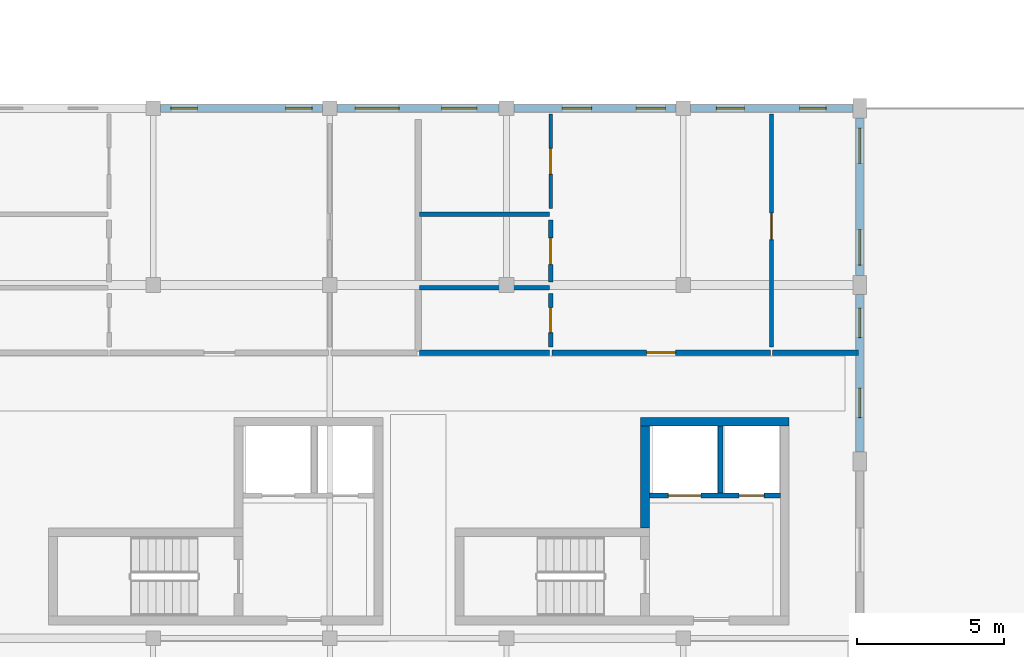
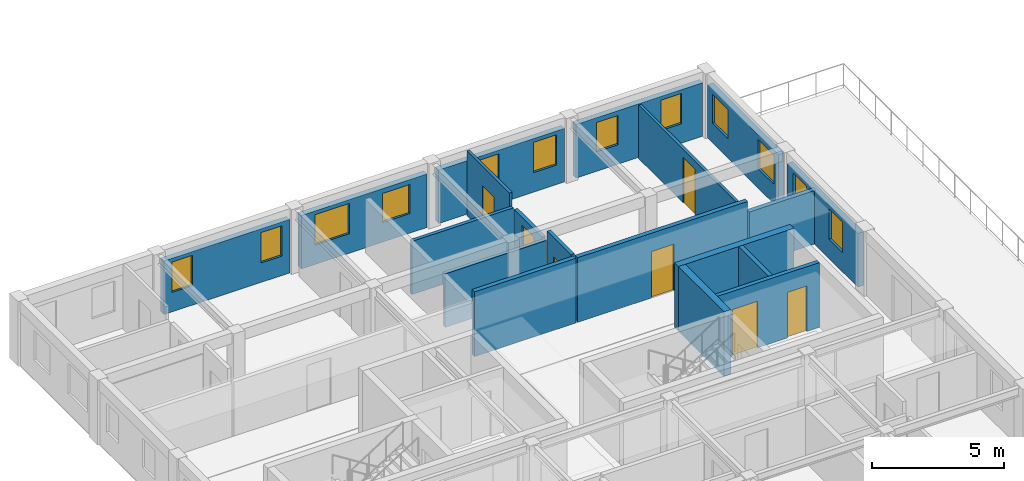
# One storey, part 6 of 13: 19 walls, 12 windows, 7 doors, 19 openings.
"""IFC4 building model written with IfcOpenShell, lengths in metres."""

from ifc_helpers import new_model, si_unit, direction, frame, frame_2d, origin, place, context, subcontext, project, spatial, rectangle, extrude, material, layer, layer_set, type_object, element, fill, save


model = new_model("IFC4")

# Units and contexts
model_context = context("Model", 3, precision=1e-05, world=origin(), true_north=direction((0.0, 1.0)))
body_context = subcontext(model_context, "Body", "Model", "MODEL_VIEW")
ifc_project = project(units=[si_unit("LENGTHUNIT", "METRE"), si_unit("AREAUNIT", "SQUARE_METRE"), si_unit("VOLUMEUNIT", "CUBIC_METRE"), si_unit("PLANEANGLEUNIT", "RADIAN"), si_unit("MASSUNIT", "GRAM", prefix="KILO"), si_unit("POWERUNIT", "WATT"), si_unit("THERMODYNAMICTEMPERATUREUNIT", "KELVIN")], contexts=[model_context])

# Site, building, storey
site_placement = place(None, origin())
site = spatial("IfcSite", under=ifc_project, at=site_placement, CompositionType="ELEMENT")
building_placement = place(site_placement, origin())
building = spatial("IfcBuilding", under=site, at=building_placement, Name="Ruvembo Vaulted Housing Court", CompositionType="ELEMENT")
storey_placement = place(building_placement, frame((0.0, 0.0, 33.300048828125)))
storey = spatial("IfcBuildingStorey", under=building, at=storey_placement, Name="L10", CompositionType="ELEMENT", Elevation=33.300048828125)

# Walls
ifc_material_1 = material(Name="Concrete C35/45", Category="concrete")
ifc_layer_1 = layer(ifc_material_1, 0.300048828125, Name="Concrete C35/45")
ifc_layer_set_1 = layer_set([ifc_layer_1], Name="Concrete C35/45")
wall_type_1 = type_object("IfcWallType", Name="WL-CORE-300", PredefinedType="SHEAR", material=ifc_layer_set_1)
wall_1_placement = place(storey_placement, frame((27.60009765625, 25.35009765625, 0.0), z_axis=(0.0, 0.0, 1.0), x_axis=(-1.0, 0.0, 0.0)))
element("IfcWall", 1, at=wall_1_placement, inside=storey, type_object=wall_type_1, Name="Core A2 L10 North Shear Wall", PredefinedType="SHEAR", context=body_context, shape_type="SweptSolid", body=[
    extrude(rectangle(XDim=5.050048828125, YDim=0.300048828125, at=frame_2d((2.52490234375, 0.0))), origin(), (0.0, 0.0, 1.0), 2.989990234375),
])
wall_2_placement = place(storey_placement, frame((22.699951171875, 21.75, 0.0), z_axis=(0.0, 0.0, 1.0), x_axis=(0.0, 1.0, 0.0)))
element("IfcWall", 2, at=wall_2_placement, inside=storey, type_object=wall_type_1, Name="Core A2 L10 Upper West Shear Wall", PredefinedType="SHEAR", context=body_context, shape_type="SweptSolid", body=[
    extrude(rectangle(XDim=3.449951171875, YDim=0.300048828125, at=frame_2d((1.72509765625, 0.0))), origin(), (0.0, 0.0, 1.0), 2.989990234375),
])
ifc_material_2 = material(Name="Concrete Blockwork 190", Category="masonry")
ifc_layer_2 = layer(ifc_material_2, 0.18994140625, Name="Concrete Blockwork 190")
ifc_layer_set_2 = layer_set([ifc_layer_2], Name="Concrete Blockwork 190")
wall_type_2 = type_object("IfcWallType", Name="WL-CORR-190", PredefinedType="SOLIDWALL", material=ifc_layer_set_2)
wall_3_placement = place(storey_placement, frame((15.0400390625, 27.699951171875, 0.0), z_axis=(0.0, 0.0, 1.0), x_axis=(1.0, 0.0, 0.0)))
element("IfcWall", 3, at=wall_3_placement, inside=storey, type_object=wall_type_2, Name="L10 Flat A-L10-N2 Corridor Wall WL-INT-L10-02234", PredefinedType="SOLIDWALL", context=body_context, shape_type="SweptSolid", body=[
    extrude(rectangle(XDim=4.419921875, YDim=0.18994140625, at=frame_2d((2.2099609375, 0.0))), origin(), (0.0, 0.0, 1.0), 2.989990234375),
])

# Wall, opening, door
wall_4_placement = place(storey_placement, frame((19.5400390625, 27.699951171875, 0.0), z_axis=(0.0, 0.0, 1.0), x_axis=(1.0, 0.0, 0.0)))
wall_4 = element("IfcWall", 4, at=wall_4_placement, inside=storey, type_object=wall_type_2, Name="L10 Flat A-L10-N2 Entrance WL-INT-L10-02235", PredefinedType="SOLIDWALL", context=body_context, shape_type="SweptSolid", body=[
    extrude(rectangle(XDim=7.419921875, YDim=0.18994140625, at=frame_2d((3.7099609375, 0.0))), origin(), (0.0, 0.0, 1.0), 2.989990234375),
])
opening_1_placement = place(wall_4_placement, frame((3.219970703125, 0.0, 0.0)))
opening_1 = element("IfcOpeningElement", 5, at=opening_1_placement, cuts=wall_4, Name="Opening FD2", PredefinedType="OPENING", context=body_context, shape_type="SweptSolid", body=[
    extrude(rectangle(XDim=0.97998046875, YDim=2.14990234375, at=frame_2d((0.489990234375, 1.074951171875))), frame((0.0, 0.10498046875, 0.0), z_axis=(0.0, -1.0, 0.0), x_axis=(1.0, 0.0, 0.0)), (0.0, 0.0, 1.0), 0.2099609375),
])
ifc_material_3 = material(Name="FSC Hardwood and Engineered Timber", Category="wood")
door_type_1 = type_object("IfcDoorType", Name="DR-FLAT-0980x2150", OperationType="NOTDEFINED", PredefinedType="DOOR", material=ifc_material_3)
door_1_placement = place(opening_1_placement, origin())
door_1 = element("IfcDoor", 6, at=door_1_placement, inside=storey, type_object=door_type_1, Name="L10 Flat A-L10-N2 Entrance Door DR-INT-L10-01240", OperationType="SINGLE_SWING_RIGHT", OverallHeight=2.14990234375, OverallWidth=0.97998046875, PredefinedType="DOOR", context=body_context, shape_type="SweptSolid", body=[
    extrude(rectangle(XDim=0.97998046875, YDim=2.14990234375, at=frame_2d((0.489990234375, 1.074951171875))), frame((0.0, 0.02490234375, 0.0), z_axis=(0.0, -1.0, 0.0), x_axis=(1.0, 0.0, 0.0)), (0.0, 0.0, 1.0), 0.050048828125),
])
fill(opening_1, door_1)

# Wall
wall_5_placement = place(storey_placement, frame((27.0400390625, 27.699951171875, 0.0), z_axis=(0.0, 0.0, 1.0), x_axis=(1.0, 0.0, 0.0)))
element("IfcWall", 7, at=wall_5_placement, inside=storey, type_object=wall_type_2, Name="L10 Flat A-L10-N2 Corridor Wall 2 WL-INT-L10-02241", PredefinedType="SOLIDWALL", context=body_context, shape_type="SweptSolid", body=[
    extrude(rectangle(XDim=2.919921875, YDim=0.18994140625, at=frame_2d((1.4599609375, 0.0))), origin(), (0.0, 0.0, 1.0), 2.471923828125),
])

# Wall, openings, windows
ifc_material_4 = material(Name="Rendered Masonry 245", Category="masonry")
ifc_layer_3 = layer(ifc_material_4, 0.2451171875, Name="Rendered Masonry 245")
ifc_layer_set_3 = layer_set([ifc_layer_3], Name="Rendered Masonry 245")
wall_type_3 = type_object("IfcWallType", Name="WL-EXT-245", PredefinedType="STANDARD", material=ifc_layer_set_3)
wall_6_placement = place(storey_placement, frame((30.0, 24.324951171875, 0.0), z_axis=(0.0, 0.0, 1.0), x_axis=(0.0, 1.0, 0.0)))
wall_6 = element("IfcWall", 8, at=wall_6_placement, inside=storey, type_object=wall_type_3, Name="Block A L10 Exterior Wall EAST #4", PredefinedType="STANDARD", context=body_context, shape_type="SweptSolid", body=[
    extrude(rectangle(XDim=5.35009765625, YDim=0.2451171875, at=frame_2d((2.675048828125, 0.0))), origin(), (0.0, 0.0, 1.0), 2.471923828125),
])
opening_2_placement = place(wall_6_placement, frame((1.16748046875, 0.0, 0.89990234375)))
opening_2 = element("IfcOpeningElement", 9, at=opening_2_placement, cuts=wall_6, Name="Opening W08", PredefinedType="OPENING", context=body_context, shape_type="SweptSolid", body=[
    extrude(rectangle(XDim=1.0, YDim=1.39990234375, at=frame_2d((0.5, 0.699951171875))), frame((0.0, 0.132568359375, 0.0), z_axis=(0.0, -1.0, 0.0), x_axis=(1.0, 0.0, 0.0)), (0.0, 0.0, 1.0), 0.26513671875),
])
opening_3_placement = place(wall_6_placement, frame((3.882568359375, 0.0, 0.89990234375)))
opening_3 = element("IfcOpeningElement", 10, at=opening_3_placement, cuts=wall_6, Name="Opening W08", PredefinedType="OPENING", context=body_context, shape_type="SweptSolid", body=[
    extrude(rectangle(XDim=1.0, YDim=1.39990234375, at=frame_2d((0.5, 0.699951171875))), frame((0.0, 0.132568359375, 0.0), z_axis=(0.0, -1.0, 0.0), x_axis=(1.0, 0.0, 0.0)), (0.0, 0.0, 1.0), 0.26513671875),
])
ifc_material_5 = material(Name="Double Solar-Control Glazing in Aluminium Frame", Category="aluminium")
window_type_1 = type_object("IfcWindowType", Name="WIN-1000x1400", PartitioningType="SINGLE_PANEL", PredefinedType="WINDOW", material=ifc_material_5)
window_1_placement = place(opening_2_placement, origin())
window_1 = element("IfcWindow", 11, at=window_1_placement, inside=storey, type_object=window_type_1, Name="Block A L10 Window #446", OverallHeight=1.39990234375, OverallWidth=1.0, PartitioningType="SINGLE_PANEL", PredefinedType="WINDOW", context=body_context, shape_type="SweptSolid", body=[
    extrude(rectangle(XDim=1.0, YDim=1.39990234375, at=frame_2d((0.5, 0.699951171875))), frame((0.0, 0.030029296875, 0.0), z_axis=(0.0, -1.0, 0.0), x_axis=(1.0, 0.0, 0.0)), (0.0, 0.0, 1.0), 0.06005859375),
])
fill(opening_2, window_1)
window_2_placement = place(opening_3_placement, origin())
window_2 = element("IfcWindow", 12, at=window_2_placement, inside=storey, type_object=window_type_1, Name="Block A L10 Window #447", OverallHeight=1.39990234375, OverallWidth=1.0, PartitioningType="SINGLE_PANEL", PredefinedType="WINDOW", context=body_context, shape_type="SweptSolid", body=[
    extrude(rectangle(XDim=1.0, YDim=1.39990234375, at=frame_2d((0.5, 0.699951171875))), frame((0.0, 0.030029296875, 0.0), z_axis=(0.0, -1.0, 0.0), x_axis=(1.0, 0.0, 0.0)), (0.0, 0.0, 1.0), 0.06005859375),
])
fill(opening_3, window_2)

wall_7_placement = place(storey_placement, frame((30.0, 30.324951171875, 0.0), z_axis=(0.0, 0.0, 1.0), x_axis=(0.0, 1.0, 0.0)))
wall_7 = element("IfcWall", 13, at=wall_7_placement, inside=storey, type_object=wall_type_3, Name="Block A L10 Exterior Wall EAST #5", PredefinedType="STANDARD", context=body_context, shape_type="SweptSolid", body=[
    extrude(rectangle(XDim=5.35009765625, YDim=0.2451171875, at=frame_2d((2.675048828125, 0.0))), origin(), (0.0, 0.0, 1.0), 2.471923828125),
])
opening_4_placement = place(wall_7_placement, frame((0.35009765625, 0.0, 0.89990234375)))
opening_4 = element("IfcOpeningElement", 14, at=opening_4_placement, cuts=wall_7, Name="Opening W12", PredefinedType="OPENING", context=body_context, shape_type="SweptSolid", body=[
    extrude(rectangle(XDim=1.199951171875, YDim=1.35009765625, at=frame_2d((0.60009765625, 0.675048828125))), frame((0.0, 0.132568359375, 0.0), z_axis=(0.0, -1.0, 0.0), x_axis=(1.0, 0.0, 0.0)), (0.0, 0.0, 1.0), 0.26513671875),
])
opening_5_placement = place(wall_7_placement, frame((3.800048828125, 0.0, 0.89990234375)))
opening_5 = element("IfcOpeningElement", 15, at=opening_5_placement, cuts=wall_7, Name="Opening W12", PredefinedType="OPENING", context=body_context, shape_type="SweptSolid", body=[
    extrude(rectangle(XDim=1.199951171875, YDim=1.35009765625, at=frame_2d((0.60009765625, 0.675048828125))), frame((0.0, 0.132568359375, 0.0), z_axis=(0.0, -1.0, 0.0), x_axis=(1.0, 0.0, 0.0)), (0.0, 0.0, 1.0), 0.26513671875),
])
window_type_2 = type_object("IfcWindowType", Name="WIN-1200x1350", PartitioningType="SINGLE_PANEL", PredefinedType="WINDOW", material=ifc_material_5)
window_3_placement = place(opening_4_placement, origin())
window_3 = element("IfcWindow", 16, at=window_3_placement, inside=storey, type_object=window_type_2, Name="Block A L10 Window #448", OverallHeight=1.35009765625, OverallWidth=1.199951171875, PartitioningType="SINGLE_PANEL", PredefinedType="WINDOW", context=body_context, shape_type="SweptSolid", body=[
    extrude(rectangle(XDim=1.199951171875, YDim=1.35009765625, at=frame_2d((0.60009765625, 0.675048828125))), frame((0.0, 0.030029296875, 0.0), z_axis=(0.0, -1.0, 0.0), x_axis=(1.0, 0.0, 0.0)), (0.0, 0.0, 1.0), 0.06005859375),
])
fill(opening_4, window_3)
window_4_placement = place(opening_5_placement, origin())
window_4 = element("IfcWindow", 17, at=window_4_placement, inside=storey, type_object=window_type_2, Name="Block A L10 Window #449", OverallHeight=1.35009765625, OverallWidth=1.199951171875, PartitioningType="SINGLE_PANEL", PredefinedType="WINDOW", context=body_context, shape_type="SweptSolid", body=[
    extrude(rectangle(XDim=1.199951171875, YDim=1.35009765625, at=frame_2d((0.60009765625, 0.675048828125))), frame((0.0, 0.030029296875, 0.0), z_axis=(0.0, -1.0, 0.0), x_axis=(1.0, 0.0, 0.0)), (0.0, 0.0, 1.0), 0.06005859375),
])
fill(opening_5, window_4)

wall_8_placement = place(storey_placement, frame((29.77490234375, 36.0, 0.0), z_axis=(0.0, 0.0, 1.0), x_axis=(-1.0, 0.0, 0.0)))
wall_8 = element("IfcWall", 18, at=wall_8_placement, inside=storey, type_object=wall_type_3, Name="Block A L10 Exterior Wall COURTYARD #1", PredefinedType="STANDARD", context=body_context, shape_type="SweptSolid", body=[
    extrude(rectangle(XDim=5.52490234375, YDim=0.2451171875, at=frame_2d((2.762451171875, 0.0))), origin(), (0.0, 0.0, 1.0), 2.471923828125),
])
opening_6_placement = place(wall_8_placement, frame((0.91748046875, 0.0, 0.89990234375)))
opening_6 = element("IfcOpeningElement", 19, at=opening_6_placement, cuts=wall_8, Name="Opening W05", PredefinedType="OPENING", context=body_context, shape_type="SweptSolid", body=[
    extrude(rectangle(XDim=0.89990234375, YDim=1.39990234375, at=frame_2d((0.449951171875, 0.699951171875))), frame((0.0, 0.132568359375, 0.0), z_axis=(0.0, -1.0, 0.0), x_axis=(1.0, 0.0, 0.0)), (0.0, 0.0, 1.0), 0.26513671875),
])
opening_7_placement = place(wall_8_placement, frame((3.695068359375, 0.0, 0.89990234375)))
opening_7 = element("IfcOpeningElement", 20, at=opening_7_placement, cuts=wall_8, Name="Opening W07", PredefinedType="OPENING", context=body_context, shape_type="SweptSolid", body=[
    extrude(rectangle(XDim=0.949951171875, YDim=1.35009765625, at=frame_2d((0.47509765625, 0.675048828125))), frame((0.0, 0.132568359375, 0.0), z_axis=(0.0, -1.0, 0.0), x_axis=(1.0, 0.0, 0.0)), (0.0, 0.0, 1.0), 0.26513671875),
])
window_type_3 = type_object("IfcWindowType", Name="WIN-0900x1400", PartitioningType="SINGLE_PANEL", PredefinedType="WINDOW", material=ifc_material_5)
window_5_placement = place(opening_6_placement, origin())
window_5 = element("IfcWindow", 21, at=window_5_placement, inside=storey, type_object=window_type_3, Name="Block A L10 Window #450", OverallHeight=1.39990234375, OverallWidth=0.89990234375, PartitioningType="SINGLE_PANEL", PredefinedType="WINDOW", context=body_context, shape_type="SweptSolid", body=[
    extrude(rectangle(XDim=0.89990234375, YDim=1.39990234375, at=frame_2d((0.449951171875, 0.699951171875))), frame((0.0, 0.030029296875, 0.0), z_axis=(0.0, -1.0, 0.0), x_axis=(1.0, 0.0, 0.0)), (0.0, 0.0, 1.0), 0.06005859375),
])
fill(opening_6, window_5)
window_type_4 = type_object("IfcWindowType", Name="WIN-0950x1350", PartitioningType="SINGLE_PANEL", PredefinedType="WINDOW", material=ifc_material_5)
window_6_placement = place(opening_7_placement, origin())
window_6 = element("IfcWindow", 22, at=window_6_placement, inside=storey, type_object=window_type_4, Name="Block A L10 Window #451", OverallHeight=1.35009765625, OverallWidth=0.949951171875, PartitioningType="SINGLE_PANEL", PredefinedType="WINDOW", context=body_context, shape_type="SweptSolid", body=[
    extrude(rectangle(XDim=0.949951171875, YDim=1.35009765625, at=frame_2d((0.47509765625, 0.675048828125))), frame((0.0, 0.030029296875, 0.0), z_axis=(0.0, -1.0, 0.0), x_axis=(1.0, 0.0, 0.0)), (0.0, 0.0, 1.0), 0.06005859375),
])
fill(opening_7, window_6)

wall_9_placement = place(storey_placement, frame((23.75, 36.0, 0.0), z_axis=(0.0, 0.0, 1.0), x_axis=(-1.0, 0.0, 0.0)))
wall_9 = element("IfcWall", 23, at=wall_9_placement, inside=storey, type_object=wall_type_3, Name="Block A L10 Exterior Wall COURTYARD #2", PredefinedType="STANDARD", context=body_context, shape_type="SweptSolid", body=[
    extrude(rectangle(XDim=5.5, YDim=0.2451171875, at=frame_2d((2.75, 0.0))), origin(), (0.0, 0.0, 1.0), 2.471923828125),
])
opening_8_placement = place(wall_9_placement, frame((0.35009765625, 0.0, 0.89990234375)))
opening_8 = element("IfcOpeningElement", 24, at=opening_8_placement, cuts=wall_9, Name="Opening W08", PredefinedType="OPENING", context=body_context, shape_type="SweptSolid", body=[
    extrude(rectangle(XDim=1.0, YDim=1.39990234375, at=frame_2d((0.5, 0.699951171875))), frame((0.0, 0.132568359375, 0.0), z_axis=(0.0, -1.0, 0.0), x_axis=(1.0, 0.0, 0.0)), (0.0, 0.0, 1.0), 0.26513671875),
])
opening_9_placement = place(wall_9_placement, frame((2.860107421875, 0.0, 0.89990234375)))
opening_9 = element("IfcOpeningElement", 25, at=opening_9_placement, cuts=wall_9, Name="Opening W08", PredefinedType="OPENING", context=body_context, shape_type="SweptSolid", body=[
    extrude(rectangle(XDim=1.0, YDim=1.39990234375, at=frame_2d((0.5, 0.699951171875))), frame((0.0, 0.132568359375, 0.0), z_axis=(0.0, -1.0, 0.0), x_axis=(1.0, 0.0, 0.0)), (0.0, 0.0, 1.0), 0.26513671875),
])
window_7_placement = place(opening_8_placement, origin())
window_7 = element("IfcWindow", 26, at=window_7_placement, inside=storey, type_object=window_type_1, Name="Block A L10 Window #452", OverallHeight=1.39990234375, OverallWidth=1.0, PartitioningType="SINGLE_PANEL", PredefinedType="WINDOW", context=body_context, shape_type="SweptSolid", body=[
    extrude(rectangle(XDim=1.0, YDim=1.39990234375, at=frame_2d((0.5, 0.699951171875))), frame((0.0, 0.030029296875, 0.0), z_axis=(0.0, -1.0, 0.0), x_axis=(1.0, 0.0, 0.0)), (0.0, 0.0, 1.0), 0.06005859375),
])
fill(opening_8, window_7)
window_8_placement = place(opening_9_placement, origin())
window_8 = element("IfcWindow", 27, at=window_8_placement, inside=storey, type_object=window_type_1, Name="Block A L10 Window #453", OverallHeight=1.39990234375, OverallWidth=1.0, PartitioningType="SINGLE_PANEL", PredefinedType="WINDOW", context=body_context, shape_type="SweptSolid", body=[
    extrude(rectangle(XDim=1.0, YDim=1.39990234375, at=frame_2d((0.5, 0.699951171875))), frame((0.0, 0.030029296875, 0.0), z_axis=(0.0, -1.0, 0.0), x_axis=(1.0, 0.0, 0.0)), (0.0, 0.0, 1.0), 0.06005859375),
])
fill(opening_9, window_8)

wall_10_placement = place(storey_placement, frame((17.75, 36.0, 0.0), z_axis=(0.0, 0.0, 1.0), x_axis=(-1.0, 0.0, 0.0)))
wall_10 = element("IfcWall", 28, at=wall_10_placement, inside=storey, type_object=wall_type_3, Name="Block A L10 Exterior Wall COURTYARD #3", PredefinedType="STANDARD", context=body_context, shape_type="SweptSolid", body=[
    extrude(rectangle(XDim=5.5, YDim=0.2451171875, at=frame_2d((2.75, 0.0))), origin(), (0.0, 0.0, 1.0), 2.471923828125),
])
opening_10_placement = place(wall_10_placement, frame((0.7548828125, 0.0, 0.89990234375)))
opening_10 = element("IfcOpeningElement", 29, at=opening_10_placement, cuts=wall_10, Name="Opening W12", PredefinedType="OPENING", context=body_context, shape_type="SweptSolid", body=[
    extrude(rectangle(XDim=1.199951171875, YDim=1.35009765625, at=frame_2d((0.60009765625, 0.675048828125))), frame((0.0, 0.132568359375, 0.0), z_axis=(0.0, -1.0, 0.0), x_axis=(1.0, 0.0, 0.0)), (0.0, 0.0, 1.0), 0.26513671875),
])
opening_11_placement = place(wall_10_placement, frame((3.39501953125, 0.0, 0.89990234375)))
opening_11 = element("IfcOpeningElement", 30, at=opening_11_placement, cuts=wall_10, Name="Opening W18", PredefinedType="OPENING", context=body_context, shape_type="SweptSolid", body=[
    extrude(rectangle(XDim=1.5, YDim=1.39990234375, at=frame_2d((0.75, 0.699951171875))), frame((0.0, 0.132568359375, 0.0), z_axis=(0.0, -1.0, 0.0), x_axis=(1.0, 0.0, 0.0)), (0.0, 0.0, 1.0), 0.26513671875),
])
window_9_placement = place(opening_10_placement, origin())
window_9 = element("IfcWindow", 31, at=window_9_placement, inside=storey, type_object=window_type_2, Name="Block A L10 Window #454", OverallHeight=1.35009765625, OverallWidth=1.199951171875, PartitioningType="SINGLE_PANEL", PredefinedType="WINDOW", context=body_context, shape_type="SweptSolid", body=[
    extrude(rectangle(XDim=1.199951171875, YDim=1.35009765625, at=frame_2d((0.60009765625, 0.675048828125))), frame((0.0, 0.030029296875, 0.0), z_axis=(0.0, -1.0, 0.0), x_axis=(1.0, 0.0, 0.0)), (0.0, 0.0, 1.0), 0.06005859375),
])
fill(opening_10, window_9)
window_type_5 = type_object("IfcWindowType", Name="WIN-1500x1400", PartitioningType="SINGLE_PANEL", PredefinedType="WINDOW", material=ifc_material_5)
window_10_placement = place(opening_11_placement, origin())
window_10 = element("IfcWindow", 32, at=window_10_placement, inside=storey, type_object=window_type_5, Name="Block A L10 Window #455", OverallHeight=1.39990234375, OverallWidth=1.5, PartitioningType="SINGLE_PANEL", PredefinedType="WINDOW", context=body_context, shape_type="SweptSolid", body=[
    extrude(rectangle(XDim=1.5, YDim=1.39990234375, at=frame_2d((0.75, 0.699951171875))), frame((0.0, 0.030029296875, 0.0), z_axis=(0.0, -1.0, 0.0), x_axis=(1.0, 0.0, 0.0)), (0.0, 0.0, 1.0), 0.06005859375),
])
fill(opening_11, window_10)

wall_11_placement = place(storey_placement, frame((11.75, 36.0, 0.0), z_axis=(0.0, 0.0, 1.0), x_axis=(-1.0, 0.0, 0.0)))
wall_11 = element("IfcWall", 33, at=wall_11_placement, inside=storey, type_object=wall_type_3, Name="Block A L10 Exterior Wall COURTYARD #4", PredefinedType="STANDARD", context=body_context, shape_type="SweptSolid", body=[
    extrude(rectangle(XDim=5.5, YDim=0.2451171875, at=frame_2d((2.75, 0.0))), origin(), (0.0, 0.0, 1.0), 2.471923828125),
])
opening_12_placement = place(wall_11_placement, frame((0.35009765625, 0.0, 0.89990234375)))
opening_12 = element("IfcOpeningElement", 34, at=opening_12_placement, cuts=wall_11, Name="Opening W05", PredefinedType="OPENING", context=body_context, shape_type="SweptSolid", body=[
    extrude(rectangle(XDim=0.89990234375, YDim=1.39990234375, at=frame_2d((0.449951171875, 0.699951171875))), frame((0.0, 0.132568359375, 0.0), z_axis=(0.0, -1.0, 0.0), x_axis=(1.0, 0.0, 0.0)), (0.0, 0.0, 1.0), 0.26513671875),
])
opening_13_placement = place(wall_11_placement, frame((4.25, 0.0, 0.89990234375)))
opening_13 = element("IfcOpeningElement", 35, at=opening_13_placement, cuts=wall_11, Name="Opening W05", PredefinedType="OPENING", context=body_context, shape_type="SweptSolid", body=[
    extrude(rectangle(XDim=0.89990234375, YDim=1.39990234375, at=frame_2d((0.449951171875, 0.699951171875))), frame((0.0, 0.132568359375, 0.0), z_axis=(0.0, -1.0, 0.0), x_axis=(1.0, 0.0, 0.0)), (0.0, 0.0, 1.0), 0.26513671875),
])
window_11_placement = place(opening_12_placement, origin())
window_11 = element("IfcWindow", 36, at=window_11_placement, inside=storey, type_object=window_type_3, Name="Block A L10 Window #456", OverallHeight=1.39990234375, OverallWidth=0.89990234375, PartitioningType="SINGLE_PANEL", PredefinedType="WINDOW", context=body_context, shape_type="SweptSolid", body=[
    extrude(rectangle(XDim=0.89990234375, YDim=1.39990234375, at=frame_2d((0.449951171875, 0.699951171875))), frame((0.0, 0.030029296875, 0.0), z_axis=(0.0, -1.0, 0.0), x_axis=(1.0, 0.0, 0.0)), (0.0, 0.0, 1.0), 0.06005859375),
])
fill(opening_12, window_11)
window_12_placement = place(opening_13_placement, origin())
window_12 = element("IfcWindow", 37, at=window_12_placement, inside=storey, type_object=window_type_3, Name="Block A L10 Window #457", OverallHeight=1.39990234375, OverallWidth=0.89990234375, PartitioningType="SINGLE_PANEL", PredefinedType="WINDOW", context=body_context, shape_type="SweptSolid", body=[
    extrude(rectangle(XDim=0.89990234375, YDim=1.39990234375, at=frame_2d((0.449951171875, 0.699951171875))), frame((0.0, 0.030029296875, 0.0), z_axis=(0.0, -1.0, 0.0), x_axis=(1.0, 0.0, 0.0)), (0.0, 0.0, 1.0), 0.06005859375),
])
fill(opening_13, window_12)

# Wall, opening, door
ifc_material_6 = material(Name="Plasterboard Stud Partition 125", Category="gypsum")
ifc_layer_4 = layer(ifc_material_6, 0.125, Name="Plasterboard Stud Partition 125")
ifc_layer_set_4 = layer_set([ifc_layer_4], Name="Plasterboard Stud Partition 125")
wall_type_4 = type_object("IfcWallType", Name="WL-PART-125", PredefinedType="PARTITIONING", material=ifc_layer_set_4)
wall_12_placement = place(storey_placement, frame((19.5, 32.590087890625, 0.0), z_axis=(0.0, 0.0, 1.0), x_axis=(0.0, 1.0, 0.0)))
wall_12 = element("IfcWall", 38, at=wall_12_placement, inside=storey, type_object=wall_type_4, Name="L10 Flat A-L10-N2 Bedroom 1 WL-INT-L10-02236", PredefinedType="PARTITIONING", context=body_context, shape_type="SweptSolid", body=[
    extrude(rectangle(XDim=3.219970703125, YDim=0.125, at=frame_2d((1.60986328125, 0.0))), origin(), (0.0, 0.0, 1.0), 2.989990234375),
])
opening_14_placement = place(wall_12_placement, frame((1.169921875, 0.0, 0.0)))
opening_14 = element("IfcOpeningElement", 39, at=opening_14_placement, cuts=wall_12, Name="Opening ID3", PredefinedType="OPENING", context=body_context, shape_type="SweptSolid", body=[
    extrude(rectangle(XDim=0.8798828125, YDim=2.10009765625, at=frame_2d((0.43994140625, 1.050048828125))), frame((0.0, 0.072509765625, 0.0), z_axis=(0.0, -1.0, 0.0), x_axis=(1.0, 0.0, 0.0)), (0.0, 0.0, 1.0), 0.14501953125),
])
door_type_2 = type_object("IfcDoorType", Name="DR-ROOM-0880x2100", OperationType="NOTDEFINED", PredefinedType="DOOR", material=ifc_material_3)
door_2_placement = place(opening_14_placement, origin())
door_2 = element("IfcDoor", 40, at=door_2_placement, inside=storey, type_object=door_type_2, Name="L10 Flat A-L10-N2 Bedroom 1 Door DR-INT-L10-01241", OperationType="SINGLE_SWING_LEFT", OverallHeight=2.10009765625, OverallWidth=0.8798828125, PredefinedType="DOOR", context=body_context, shape_type="SweptSolid", body=[
    extrude(rectangle(XDim=0.8798828125, YDim=2.10009765625, at=frame_2d((0.43994140625, 1.050048828125))), frame((0.0, 0.02490234375, 0.0), z_axis=(0.0, -1.0, 0.0), x_axis=(1.0, 0.0, 0.0)), (0.0, 0.0, 1.0), 0.050048828125),
])
fill(opening_14, door_2)

wall_13_placement = place(storey_placement, frame((27.0, 27.889892578125, 0.0), z_axis=(0.0, 0.0, 1.0), x_axis=(0.0, 1.0, 0.0)))
wall_13 = element("IfcWall", 41, at=wall_13_placement, inside=storey, type_object=wall_type_4, Name="L10 Flat A-L10-N2 Bedroom 2 WL-INT-L10-02242", PredefinedType="PARTITIONING", context=body_context, shape_type="SweptSolid", body=[
    extrude(rectangle(XDim=7.920166015625, YDim=0.125, at=frame_2d((3.9599609375, 0.0))), origin(), (0.0, 0.0, 1.0), 2.471923828125),
])
opening_15_placement = place(wall_13_placement, frame((3.64990234375, 0.0, 0.0)))
opening_15 = element("IfcOpeningElement", 42, at=opening_15_placement, cuts=wall_13, Name="Opening ID1", PredefinedType="OPENING", context=body_context, shape_type="SweptSolid", body=[
    extrude(rectangle(XDim=0.89990234375, YDim=2.10009765625, at=frame_2d((0.449951171875, 1.050048828125))), frame((0.0, 0.072509765625, 0.0), z_axis=(0.0, -1.0, 0.0), x_axis=(1.0, 0.0, 0.0)), (0.0, 0.0, 1.0), 0.14501953125),
])
door_type_3 = type_object("IfcDoorType", Name="DR-ROOM-0900x2100", OperationType="NOTDEFINED", PredefinedType="DOOR", material=ifc_material_3)
door_3_placement = place(opening_15_placement, origin())
door_3 = element("IfcDoor", 43, at=door_3_placement, inside=storey, type_object=door_type_3, Name="L10 Flat A-L10-N2 Bedroom 2 Door DR-INT-L10-01244", OperationType="SINGLE_SWING_RIGHT", OverallHeight=2.10009765625, OverallWidth=0.89990234375, PredefinedType="DOOR", context=body_context, shape_type="SweptSolid", body=[
    extrude(rectangle(XDim=0.89990234375, YDim=2.10009765625, at=frame_2d((0.449951171875, 1.050048828125))), frame((0.0, 0.02490234375, 0.0), z_axis=(0.0, -1.0, 0.0), x_axis=(1.0, 0.0, 0.0)), (0.0, 0.0, 1.0), 0.050048828125),
])
fill(opening_15, door_3)

ifc_material_7 = material(Name="Moisture-Resistant Wet Partition 150", Category="gypsum")
ifc_layer_5 = layer(ifc_material_7, 0.14990234375, Name="Moisture-Resistant Wet Partition 150")
ifc_layer_set_5 = layer_set([ifc_layer_5], Name="Moisture-Resistant Wet Partition 150")
wall_type_5 = type_object("IfcWallType", Name="WL-PART-150", PredefinedType="PARTITIONING", material=ifc_layer_set_5)
wall_14_placement = place(storey_placement, frame((19.5, 27.889892578125, 0.0), z_axis=(0.0, 0.0, 1.0), x_axis=(0.0, 1.0, 0.0)))
wall_14 = element("IfcWall", 44, at=wall_14_placement, inside=storey, type_object=wall_type_5, Name="L10 Flat A-L10-N2 Bathroom WL-INT-L10-02238", PredefinedType="PARTITIONING", context=body_context, shape_type="SweptSolid", body=[
    extrude(rectangle(XDim=1.820068359375, YDim=0.14990234375, at=frame_2d((0.91015625, 0.0))), origin(), (0.0, 0.0, 1.0), 2.989990234375),
])
opening_16_placement = place(wall_14_placement, frame((0.485107421875, 0.0, 0.0)))
opening_16 = element("IfcOpeningElement", 45, at=opening_16_placement, cuts=wall_14, Name="Opening ID2", PredefinedType="OPENING", context=body_context, shape_type="SweptSolid", body=[
    extrude(rectangle(XDim=0.85009765625, YDim=2.10009765625, at=frame_2d((0.425048828125, 1.050048828125))), frame((0.0, 0.0849609375, 0.0), z_axis=(0.0, -1.0, 0.0), x_axis=(1.0, 0.0, 0.0)), (0.0, 0.0, 1.0), 0.169921875),
])
door_type_4 = type_object("IfcDoorType", Name="DR-WET-0850x2100", OperationType="NOTDEFINED", PredefinedType="DOOR", material=ifc_material_3)
door_4_placement = place(opening_16_placement, origin())
door_4 = element("IfcDoor", 46, at=door_4_placement, inside=storey, type_object=door_type_4, Name="L10 Flat A-L10-N2 Bathroom Door DR-INT-L10-01243", OperationType="SINGLE_SWING_LEFT", OverallHeight=2.10009765625, OverallWidth=0.85009765625, PredefinedType="DOOR", context=body_context, shape_type="SweptSolid", body=[
    extrude(rectangle(XDim=0.85009765625, YDim=2.10009765625, at=frame_2d((0.425048828125, 1.050048828125))), frame((0.0, 0.02490234375, 0.0), z_axis=(0.0, -1.0, 0.0), x_axis=(1.0, 0.0, 0.0)), (0.0, 0.0, 1.0), 0.050048828125),
])
fill(opening_16, door_4)

# Walls
wall_15_placement = place(storey_placement, frame((15.0400390625, 32.39990234375, 0.0), z_axis=(0.0, 0.0, 1.0), x_axis=(1.0, 0.0, 0.0)))
element("IfcWall", 47, at=wall_15_placement, inside=storey, type_object=wall_type_5, Name="L10 Flat A-L10-N2 Wet Wall 1 WL-INT-L10-02239", PredefinedType="PARTITIONING", context=body_context, shape_type="SweptSolid", body=[
    extrude(rectangle(XDim=4.419921875, YDim=0.14990234375, at=frame_2d((2.2099609375, 0.0))), origin(), (0.0, 0.0, 1.0), 2.4580078125),
])
wall_16_placement = place(storey_placement, frame((15.0400390625, 29.89990234375, 0.0), z_axis=(0.0, 0.0, 1.0), x_axis=(1.0, 0.0, 0.0)))
element("IfcWall", 48, at=wall_16_placement, inside=storey, type_object=wall_type_5, Name="L10 Flat A-L10-N2 Wet Wall 2 WL-INT-L10-02240", PredefinedType="PARTITIONING", context=body_context, shape_type="SweptSolid", body=[
    extrude(rectangle(XDim=4.419921875, YDim=0.14990234375, at=frame_2d((2.2099609375, 0.0))), origin(), (0.0, 0.0, 1.0), 2.471923828125),
])

# Wall, opening, door
ifc_material_8 = material(Name="Acoustic Service Chase Wall 160", Category="gypsum")
ifc_layer_6 = layer(ifc_material_8, 0.159912109375, Name="Acoustic Service Chase Wall 160")
ifc_layer_set_6 = layer_set([ifc_layer_6], Name="Acoustic Service Chase Wall 160")
wall_type_6 = type_object("IfcWallType", Name="WL-PLUMB-160", PredefinedType="PLUMBINGWALL", material=ifc_layer_set_6)
wall_17_placement = place(storey_placement, frame((19.5, 30.090087890625, 0.0), z_axis=(0.0, 0.0, 1.0), x_axis=(0.0, 1.0, 0.0)))
wall_17 = element("IfcWall", 49, at=wall_17_placement, inside=storey, type_object=wall_type_6, Name="L10 Flat A-L10-N2 Kitchen WL-INT-L10-02237", PredefinedType="PLUMBINGWALL", context=body_context, shape_type="SweptSolid", body=[
    extrude(rectangle(XDim=2.119873046875, YDim=0.159912109375, at=frame_2d((1.06005859375, 0.0))), origin(), (0.0, 0.0, 1.0), 2.471923828125),
])
opening_17_placement = place(wall_17_placement, frame((0.610107421875, 0.0, 0.0)))
opening_17 = element("IfcOpeningElement", 50, at=opening_17_placement, cuts=wall_17, Name="Opening ID1", PredefinedType="OPENING", context=body_context, shape_type="SweptSolid", body=[
    extrude(rectangle(XDim=0.89990234375, YDim=2.10009765625, at=frame_2d((0.449951171875, 1.050048828125))), frame((0.0, 0.08984375, 0.0), z_axis=(0.0, -1.0, 0.0), x_axis=(1.0, 0.0, 0.0)), (0.0, 0.0, 1.0), 0.179931640625),
])
door_5_placement = place(opening_17_placement, origin())
door_5 = element("IfcDoor", 51, at=door_5_placement, inside=storey, type_object=door_type_3, Name="L10 Flat A-L10-N2 Kitchen Door DR-INT-L10-01242", OperationType="SINGLE_SWING_RIGHT", OverallHeight=2.10009765625, OverallWidth=0.89990234375, PredefinedType="DOOR", context=body_context, shape_type="SweptSolid", body=[
    extrude(rectangle(XDim=0.89990234375, YDim=2.10009765625, at=frame_2d((0.449951171875, 1.050048828125))), frame((0.0, 0.02490234375, 0.0), z_axis=(0.0, -1.0, 0.0), x_axis=(1.0, 0.0, 0.0)), (0.0, 0.0, 1.0), 0.050048828125),
])
fill(opening_17, door_5)

# Wall, openings, doors
ifc_material_9 = material(Name="Fire-Rated Masonry Shaft 180", Category="masonry")
ifc_layer_7 = layer(ifc_material_9, 0.179931640625, Name="Fire-Rated Masonry Shaft 180")
ifc_layer_set_7 = layer_set([ifc_layer_7], Name="Fire-Rated Masonry Shaft 180")
wall_type_7 = type_object("IfcWallType", Name="WL-SHAFT-180", PredefinedType="SOLIDWALL", material=ifc_layer_set_7)
wall_18_placement = place(storey_placement, frame((22.85009765625, 22.85009765625, 0.0), z_axis=(0.0, 0.0, 1.0), x_axis=(1.0, 0.0, 0.0)))
wall_18 = element("IfcWall", 52, at=wall_18_placement, inside=storey, type_object=wall_type_7, Name="Core A2 L10 Lift and Riser Front Wall", PredefinedType="SOLIDWALL", context=body_context, shape_type="SweptSolid", body=[
    extrude(rectangle(XDim=4.449951171875, YDim=0.179931640625, at=frame_2d((2.22509765625, 0.0))), origin(), (0.0, 0.0, 1.0), 2.989990234375),
])
opening_18_placement = place(wall_18_placement, frame((0.64990234375, 0.0, 0.0)))
opening_18 = element("IfcOpeningElement", 53, at=opening_18_placement, cuts=wall_18, Name="Opening LD-FL-A2-L10", PredefinedType="OPENING", context=body_context, shape_type="SweptSolid", body=[
    extrude(rectangle(XDim=1.10009765625, YDim=2.14990234375, at=frame_2d((0.550048828125, 1.074951171875))), frame((0.0, 0.099853515625, 0.0), z_axis=(0.0, -1.0, 0.0), x_axis=(1.0, 0.0, 0.0)), (0.0, 0.0, 1.0), 0.199951171875),
])
opening_19_placement = place(wall_18_placement, frame((3.050048828125, 0.0, 0.0)))
opening_19 = element("IfcOpeningElement", 54, at=opening_19_placement, cuts=wall_18, Name="Opening RD1", PredefinedType="OPENING", context=body_context, shape_type="SweptSolid", body=[
    extrude(rectangle(XDim=0.85009765625, YDim=2.10009765625, at=frame_2d((0.425048828125, 1.050048828125))), frame((0.0, 0.099853515625, 0.0), z_axis=(0.0, -1.0, 0.0), x_axis=(1.0, 0.0, 0.0)), (0.0, 0.0, 1.0), 0.199951171875),
])
ifc_material_10 = material(Name="Brushed Stainless Steel 304", Category="steel")
door_type_5 = type_object("IfcDoorType", Name="DR-LIFT-1100x2150", OperationType="NOTDEFINED", PredefinedType="DOOR", material=ifc_material_10)
door_6_placement = place(opening_18_placement, origin())
door_6 = element("IfcDoor", 55, at=door_6_placement, inside=storey, type_object=door_type_5, Name="Lift FL-A2 L10 Sliding Landing Door", OperationType="SLIDING_TO_LEFT", OverallHeight=2.14990234375, OverallWidth=1.10009765625, PredefinedType="DOOR", context=body_context, shape_type="SweptSolid", body=[
    extrude(rectangle(XDim=1.10009765625, YDim=2.14990234375, at=frame_2d((0.550048828125, 1.074951171875))), frame((0.0, 0.02490234375, 0.0), z_axis=(0.0, -1.0, 0.0), x_axis=(1.0, 0.0, 0.0)), (0.0, 0.0, 1.0), 0.050048828125),
])
fill(opening_18, door_6)
ifc_material_11 = material(Name="Galvanised Painted Steel", Category="steel")
door_type_6 = type_object("IfcDoorType", Name="DR-RISER-0850x2100", OperationType="NOTDEFINED", PredefinedType="DOOR", material=ifc_material_11)
door_7_placement = place(opening_19_placement, frame((0.85009765625, 0.0, 0.0), z_axis=(0.0, 0.0, 1.0), x_axis=(-1.0, 0.0, 0.0)))
door_7 = element("IfcDoor", 56, at=door_7_placement, inside=storey, type_object=door_type_6, Name="Core A2 L10 Service Riser Door", OperationType="SINGLE_SWING_RIGHT", OverallHeight=2.10009765625, OverallWidth=0.85009765625, PredefinedType="DOOR", context=body_context, shape_type="SweptSolid", body=[
    extrude(rectangle(XDim=0.85009765625, YDim=2.10009765625, at=frame_2d((0.425048828125, 1.050048828125))), frame((0.0, 0.02490234375, 0.0), z_axis=(0.0, -1.0, 0.0), x_axis=(1.0, 0.0, 0.0)), (0.0, 0.0, 1.0), 0.050048828125),
])
fill(opening_19, door_7)

# Wall
wall_19_placement = place(storey_placement, frame((25.27001953125, 22.93994140625, 0.0), z_axis=(0.0, 0.0, 1.0), x_axis=(0.0, 1.0, 0.0)))
element("IfcWall", 57, at=wall_19_placement, inside=storey, type_object=wall_type_7, Name="Core A2 L10 Shaft-Riser Divider Wall", PredefinedType="SOLIDWALL", context=body_context, shape_type="SweptSolid", body=[
    extrude(rectangle(XDim=2.260009765625, YDim=0.179931640625, at=frame_2d((1.1298828125, 0.0))), origin(), (0.0, 0.0, 1.0), 2.989990234375),
])

save(model, "model.ifc")
